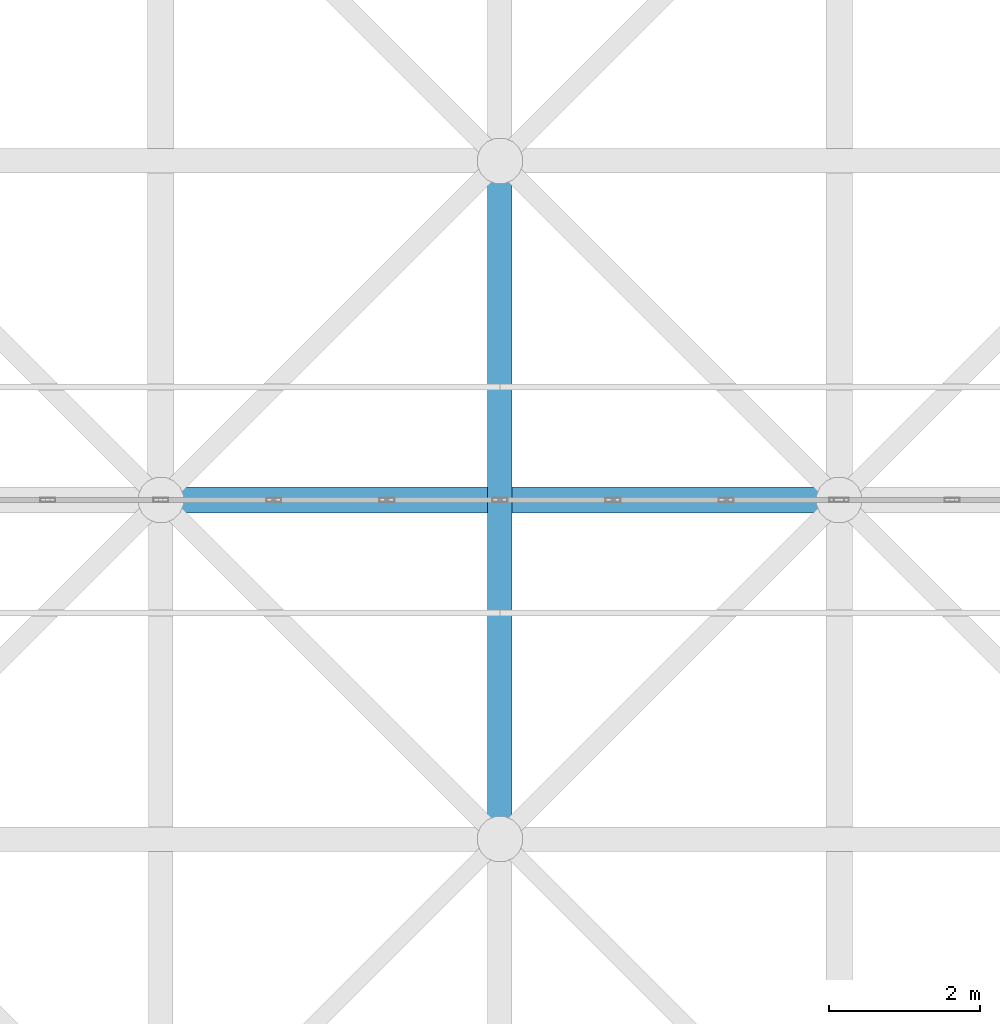
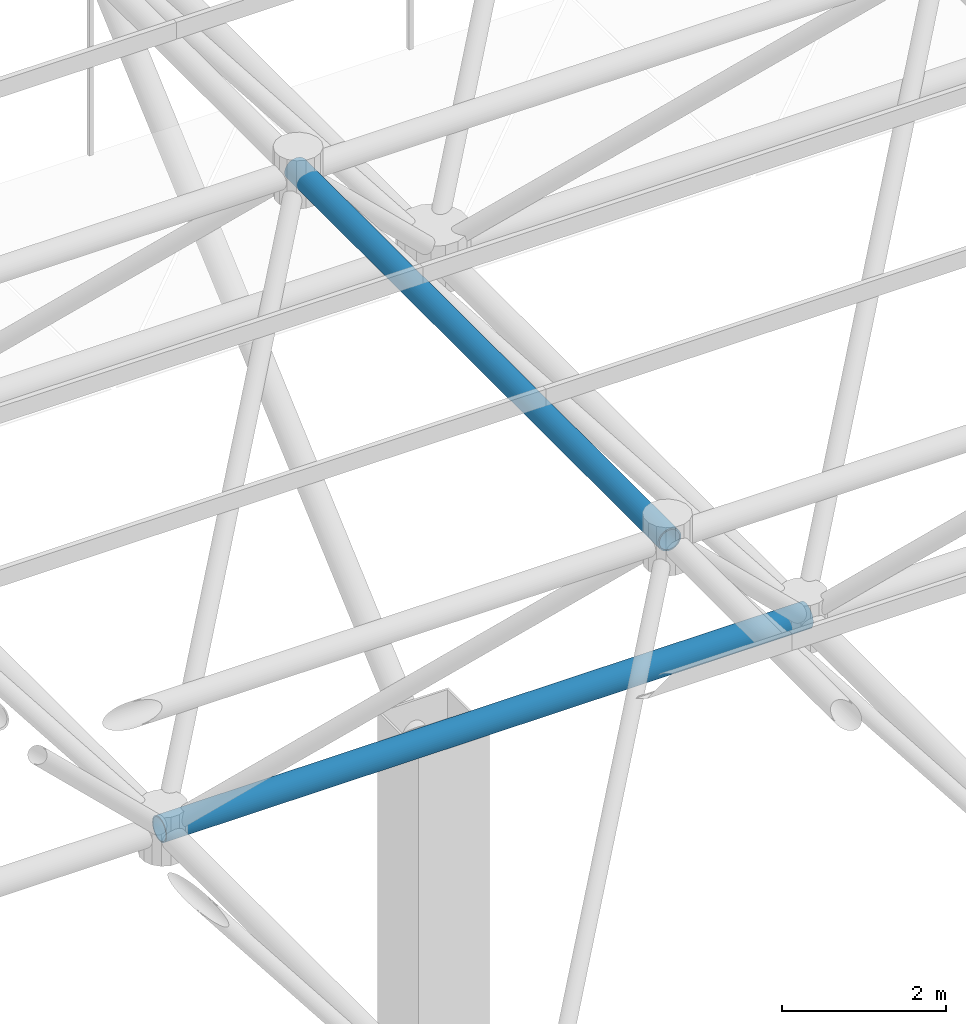
# One storey, part 175 of 437: 2 members.
"""IFC4 building model written with IfcOpenShell, lengths in metres."""

from ifc_helpers import new_model, si_unit, direction, frame, origin, origin_2d, place, context, subcontext, project, spatial, hollow_circle, extrude, material, material_profile, profile_set, type_object, element, save


model = new_model("IFC4")

# Units and contexts
model_context = context("Model", 3, precision=1e-05, world=origin(), true_north=direction((0.0, 1.0)))
body_context = subcontext(model_context, "Body", "Model", "MODEL_VIEW")
ifc_project = project(units=[si_unit("LENGTHUNIT", "METRE"), si_unit("AREAUNIT", "SQUARE_METRE"), si_unit("VOLUMEUNIT", "CUBIC_METRE"), si_unit("PLANEANGLEUNIT", "RADIAN"), si_unit("MASSUNIT", "GRAM", prefix="KILO")], contexts=[model_context])

# Site, building, storey
site_placement = place(None, origin())
site = spatial("IfcSite", under=ifc_project, at=site_placement, CompositionType="ELEMENT")
building_placement = place(site_placement, origin())
building = spatial("IfcBuilding", under=site, at=building_placement, Name="Opaline Strait Convention Centre", CompositionType="ELEMENT")
storey_placement = place(building_placement, frame((0.0, 0.0, 11.5)))
storey = spatial("IfcBuildingStorey", under=building, at=storey_placement, Name="L02", CompositionType="ELEMENT", Elevation=11.5)

# Members
ifc_material = material(Name="Steel Q355B", Category="steel")
ifc_material_profile_1 = material_profile(ifc_material, hollow_circle(Radius=0.175537109375, WallThickness=0.01611328125, at=origin_2d()), Name="CHS 351x16")
ifc_profile_set_1 = profile_set([ifc_material_profile_1], Name="Steel Q355B")
member_type_1 = type_object("IfcMemberType", Name="Space frame bottom chord CHS 351x16", PredefinedType="CHORD", material=ifc_profile_set_1)
member_1_placement = place(storey_placement, frame((179.949951171875, 144.0, 12.5), z_axis=(1.0, 0.0, 0.0), x_axis=(0.0, 1.0, 0.0)))
element("IfcMember", 1, at=member_1_placement, inside=storey, type_object=member_type_1, Name="EXB-RF-BX-10-11", PredefinedType="CHORD", context=body_context, shape_type="SweptSolid", body=[
    extrude(hollow_circle(Radius=0.175537109375, WallThickness=0.01611328125, at=origin_2d()), origin(), (0.0, 0.0, 1.0), 9.10009765625),
])
ifc_material_profile_2 = material_profile(ifc_material, hollow_circle(Radius=0.16259765625, WallThickness=0.02001953125, at=origin_2d()), Name="CHS 325x20")
ifc_profile_set_2 = profile_set([ifc_material_profile_2], Name="Steel Q355B")
member_type_2 = type_object("IfcMemberType", Name="Space frame top chord CHS 325x20", PredefinedType="CHORD", material=ifc_profile_set_2)
member_2_placement = place(storey_placement, frame((184.5, 139.449951171875, 17.971435546875), z_axis=(0.0, 1.0, 0.0), x_axis=(-1.0, 0.0, 0.0)))
element("IfcMember", 2, at=member_2_placement, inside=storey, type_object=member_type_2, Name="EXB-RF-TY-11-11", PredefinedType="CHORD", context=body_context, shape_type="SweptSolid", body=[
    extrude(hollow_circle(Radius=0.16259765625, WallThickness=0.02001953125, at=origin_2d()), origin(), (0.0, 0.0, 1.0), 9.10009765625),
])

save(model, "model.ifc")
